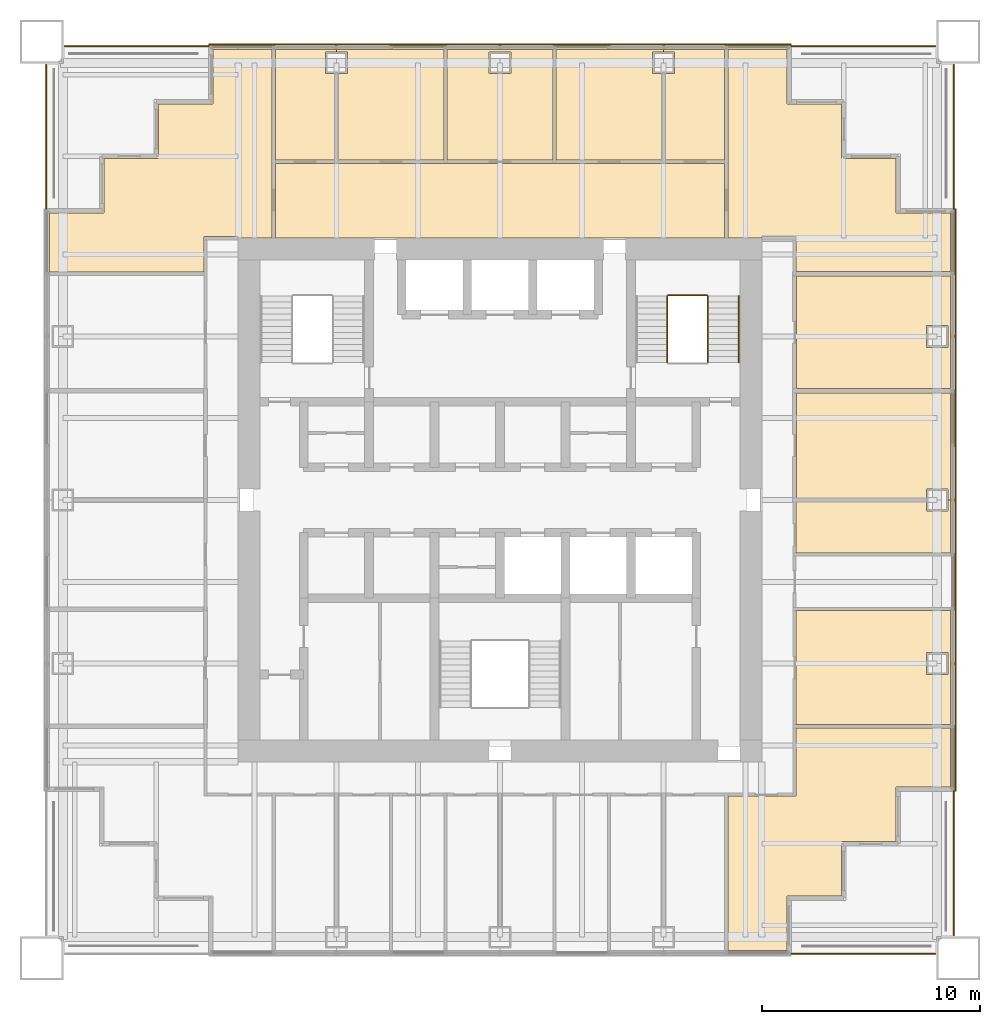
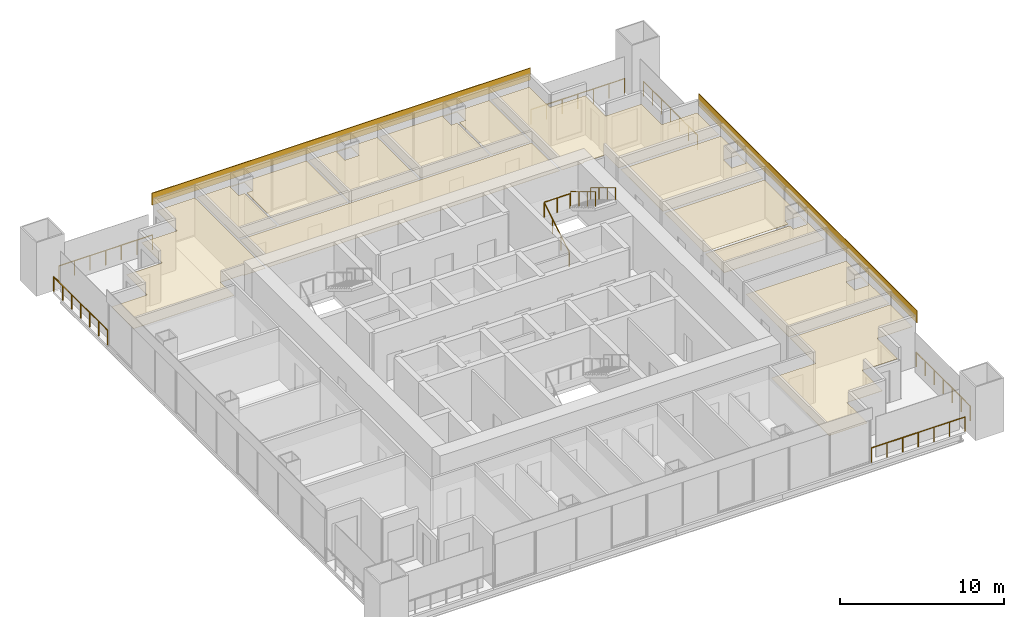
# One storey, part 15 of 15: 15 coverings, 10 railings.
"""IFC4 building model written with IfcOpenShell, lengths in metres."""

from ifc_helpers import new_model, si_unit, direction, frame, origin, origin_2d, place, context, subcontext, project, spatial, polyline, rectangle, circle, outline, extrude, material, layer, layer_set, type_object, element, save


model = new_model("IFC4")

# Units and contexts
model_context = context("Model", 3, precision=1e-05, world=origin(), true_north=direction((0.0, 1.0)))
body_context = subcontext(model_context, "Body", "Model", "MODEL_VIEW")
ifc_project = project(units=[si_unit("LENGTHUNIT", "METRE"), si_unit("AREAUNIT", "SQUARE_METRE"), si_unit("VOLUMEUNIT", "CUBIC_METRE"), si_unit("PLANEANGLEUNIT", "RADIAN"), si_unit("MASSUNIT", "GRAM", prefix="KILO")], contexts=[model_context])

# Site, building, storey
site_placement = place(None, origin())
site = spatial("IfcSite", under=ifc_project, at=site_placement, CompositionType="ELEMENT")
building_placement = place(site_placement, origin())
building = spatial("IfcBuilding", under=site, at=building_placement, Name="Tarangal Relay Tower", CompositionType="ELEMENT")
storey_placement = place(building_placement, frame((0.0, 0.0, 331.89990234375)))
storey = spatial("IfcBuildingStorey", under=building, at=storey_placement, Name="L74", CompositionType="ELEMENT", Elevation=331.89990234375)

# Coverings
ifc_material_1 = material(Name="Black anodised aluminium cladding", Category="aluminium")
ifc_layer_1 = layer(ifc_material_1, 0.050048828125)
ifc_layer_set_1 = layer_set([ifc_layer_1], Name="Black metal spandrel band")
covering_type_1 = type_object("IfcCoveringType", Name="Black metal spandrel band", PredefinedType="CLADDING", material=ifc_layer_set_1)
for number, where, z_axis, x_axis, name in (
    (1, (0.0, 20.875, 3.250244140625), (0.0, 0.0, 1.0), (1.0, 0.0, 0.0), "Spandrel band SB1 N L74"),
    (2, (20.875, 0.0, 3.250244140625), (0.0, 0.0, 1.0), (0.0, -1.0, 0.0), "Spandrel band SB1 E L74"),
):
    element("IfcCovering", number, at=place(storey_placement, frame(where, z_axis=z_axis, x_axis=x_axis)), inside=storey, type_object=covering_type_1, Name=name, PredefinedType="CLADDING", context=body_context, shape_type="SweptSolid", body=[
        extrude(rectangle(XDim=26.699951171875, YDim=0.050048828125, at=origin_2d()), origin(), (0.0, 0.0, 1.0), 0.89990234375),
    ])

# Railings
ifc_material_2 = material(Name="Steel guard, black finish", Category="steel")
railing_type_1 = type_object("IfcRailingType", Name="Stair guard 1100", PredefinedType="GUARDRAIL", material=ifc_material_2)
railing_1_placement = place(storey_placement, frame((7.669921875, 6.300048828125, 0.166748046875)))
element("IfcRailing", 3, at=railing_1_placement, inside=storey, type_object=railing_type_1, Name="Stair ST-B guard GR1 L74 flight 1", PredefinedType="GUARDRAIL", context=body_context, shape_type="SweptSolid", body=[
    extrude(circle(Radius=0.02392578125, at=origin_2d()), frame((0.0, 0.0, 1.076171875), z_axis=(0.0, 0.85685617095, 0.515555527858), x_axis=(-1.0, 0.0, 0.0)), (0.0, 0.0, 1.0), 3.555908203125),
    extrude(circle(Radius=0.02099609375, at=origin_2d()), origin(), (0.0, 0.0, 1.0), 1.052001953125),
    extrude(circle(Radius=0.02099609375, at=origin_2d()), frame((0.0, 1.015625, 0.611083984375)), (0.0, 0.0, 1.0), 1.052001953125),
    extrude(circle(Radius=0.02099609375, at=origin_2d()), frame((0.0, 2.03125, 1.22216796875)), (0.0, 0.0, 1.0), 1.052001953125),
    extrude(circle(Radius=0.02099609375, at=origin_2d()), frame((0.0, 3.046875, 1.833251953125)), (0.0, 0.0, 1.0), 1.052001953125),
])
railing_2_placement = place(storey_placement, frame((9.530029296875, 9.346923828125, 2.166748046875)))
element("IfcRailing", 4, at=railing_2_placement, inside=storey, type_object=railing_type_1, Name="Stair ST-B guard GR1 L74 flight 2", PredefinedType="GUARDRAIL", context=body_context, shape_type="SweptSolid", body=[
    extrude(circle(Radius=0.02392578125, at=origin_2d()), frame((0.0, 0.0, 1.076171875), z_axis=(0.0, -0.85685617095, 0.515555527858), x_axis=(1.0, 0.0, 0.0)), (0.0, 0.0, 1.0), 3.555908203125),
    extrude(circle(Radius=0.02099609375, at=origin_2d()), origin(), (0.0, 0.0, 1.0), 1.052001953125),
    extrude(circle(Radius=0.02099609375, at=origin_2d()), frame((0.0, -1.015625, 0.611083984375)), (0.0, 0.0, 1.0), 1.052001953125),
    extrude(circle(Radius=0.02099609375, at=origin_2d()), frame((0.0, -2.03125, 1.22216796875)), (0.0, 0.0, 1.0), 1.052001953125),
    extrude(circle(Radius=0.02099609375, at=origin_2d()), frame((0.0, -3.046875, 1.833251953125)), (0.0, 0.0, 1.0), 1.052001953125),
])
railing_3_placement = place(storey_placement, frame((7.699951171875, 9.376953125, 2.0)))
element("IfcRailing", 5, at=railing_3_placement, inside=storey, type_object=railing_type_1, Name="Stair ST-B landing guard GR1 L74", PredefinedType="GUARDRAIL", context=body_context, shape_type="SweptSolid", body=[
    extrude(circle(Radius=0.02392578125, at=origin_2d()), frame((0.0, 0.0, 1.076171875), z_axis=(1.0, 0.0, 0.0), x_axis=(0.0, 1.0, 0.0)), (0.0, 0.0, 1.0), 1.800048828125),
    extrude(circle(Radius=0.02099609375, at=origin_2d()), origin(), (0.0, 0.0, 1.0), 1.052001953125),
    extrude(circle(Radius=0.02099609375, at=origin_2d()), frame((0.89990234375, 0.0, 0.0)), (0.0, 0.0, 1.0), 1.052001953125),
    extrude(circle(Radius=0.02099609375, at=origin_2d()), frame((1.800048828125, 0.0, 0.0)), (0.0, 0.0, 1.0), 1.052001953125),
])
ifc_material_3 = material(Name="Steel handrail, black finish", Category="steel")
railing_type_2 = type_object("IfcRailingType", Name="Stair handrail 900", PredefinedType="HANDRAIL", material=ifc_material_3)
railing_4_placement = place(storey_placement, frame((10.93994140625, 9.346923828125, 2.166748046875)))
element("IfcRailing", 6, at=railing_4_placement, inside=storey, type_object=railing_type_2, Name="Stair ST-B handrail HR1 L74 flight 2", PredefinedType="HANDRAIL", context=body_context, shape_type="SweptSolid", body=[
    extrude(circle(Radius=0.02392578125, at=origin_2d()), frame((0.0, 0.0, 0.8759765625), z_axis=(0.0, -0.85685617095, 0.515555527858), x_axis=(1.0, 0.0, 0.0)), (0.0, 0.0, 1.0), 3.555908203125),
    extrude(circle(Radius=0.02099609375, at=origin_2d()), origin(), (0.0, 0.0, 1.0), 0.851806640625),
    extrude(circle(Radius=0.02099609375, at=origin_2d()), frame((0.0, -1.015625, 0.611083984375)), (0.0, 0.0, 1.0), 0.851806640625),
    extrude(circle(Radius=0.02099609375, at=origin_2d()), frame((0.0, -2.03125, 1.22216796875)), (0.0, 0.0, 1.0), 0.851806640625),
    extrude(circle(Radius=0.02099609375, at=origin_2d()), frame((0.0, -3.046875, 1.833251953125)), (0.0, 0.0, 1.0), 0.851806640625),
])

# Coverings
ifc_material_4 = material(Name="Mineral fibre ceiling tiles", Category="gypsum")
ifc_layer_2 = layer(ifc_material_4, 0.02001953125)
ifc_layer_set_2 = layer_set([ifc_layer_2], Name="Suspended ceiling")
covering_type_2 = type_object("IfcCoveringType", Name="Suspended ceiling", PredefinedType="CEILING", material=ifc_layer_set_2)
covering_1_placement = place(storey_placement, frame((0.0, 0.0, 2.900146484375)))
element("IfcCovering", 7, at=covering_1_placement, inside=storey, type_object=covering_type_2, Name="Suspended ceiling CL1 L74-02", PredefinedType="CEILING", context=body_context, shape_type="SweptSolid", body=[
    extrude(outline(polyline([(10.300048828125, 15.425048828125), (-10.300048828125, 15.425048828125), (-10.300048828125, 12.0), (10.300048828125, 12.0), (10.300048828125, 15.425048828125)])), origin(), (0.0, 0.0, 1.0), 0.02001953125),
])
covering_2_placement = place(storey_placement, frame((0.0, 0.0, 2.900146484375)))
element("IfcCovering", 8, at=covering_2_placement, inside=storey, type_object=covering_type_2, Name="Suspended ceiling CL1 L74-03", PredefinedType="CEILING", context=body_context, shape_type="SweptSolid", body=[
    extrude(outline(polyline([(-7.5, 20.64990234375), (-10.300048828125, 20.64990234375), (-10.300048828125, 15.574951171875), (-7.574951171875, 15.574951171875), (-7.574951171875, 19.5400390625), (-8.0, 19.5400390625), (-8.0, 20.5400390625), (-7.5, 20.5400390625), (-7.5, 20.64990234375)])), origin(), (0.0, 0.0, 1.0), 0.02001953125),
])
covering_3_placement = place(storey_placement, frame((0.0, 0.0, 2.900146484375)))
element("IfcCovering", 9, at=covering_3_placement, inside=storey, type_object=covering_type_2, Name="Suspended ceiling CL1 L74-04", PredefinedType="CEILING", context=body_context, shape_type="SweptSolid", body=[
    extrude(outline(polyline([(-2.574951171875, 20.64990234375), (-7.5, 20.64990234375), (-7.5, 20.5400390625), (-7.0, 20.5400390625), (-7.0, 19.5400390625), (-7.425048828125, 19.5400390625), (-7.425048828125, 15.574951171875), (-2.574951171875, 15.574951171875), (-2.574951171875, 20.64990234375)])), origin(), (0.0, 0.0, 1.0), 0.02001953125),
])
covering_4_placement = place(storey_placement, frame((0.0, 0.0, 2.900146484375)))
element("IfcCovering", 10, at=covering_4_placement, inside=storey, type_object=covering_type_2, Name="Suspended ceiling CL1 L74-05", PredefinedType="CEILING", context=body_context, shape_type="SweptSolid", body=[
    extrude(outline(polyline([(2.425048828125, 20.64990234375), (-2.425048828125, 20.64990234375), (-2.425048828125, 15.574951171875), (2.425048828125, 15.574951171875), (2.425048828125, 20.64990234375)]), holes=[polyline([(0.5, 20.5400390625), (-0.5, 20.5400390625), (-0.5, 19.5400390625), (0.5, 19.5400390625), (0.5, 20.5400390625)])]), origin(), (0.0, 0.0, 1.0), 0.02001953125),
])
covering_5_placement = place(storey_placement, frame((0.0, 0.0, 2.900146484375)))
element("IfcCovering", 11, at=covering_5_placement, inside=storey, type_object=covering_type_2, Name="Suspended ceiling CL1 L74-06", PredefinedType="CEILING", context=body_context, shape_type="SweptSolid", body=[
    extrude(outline(polyline([(7.5, 20.64990234375), (2.574951171875, 20.64990234375), (2.574951171875, 15.574951171875), (7.425048828125, 15.574951171875), (7.425048828125, 19.5400390625), (7.0, 19.5400390625), (7.0, 20.5400390625), (7.5, 20.5400390625), (7.5, 20.64990234375)])), origin(), (0.0, 0.0, 1.0), 0.02001953125),
])
covering_6_placement = place(storey_placement, frame((0.0, 0.0, 2.900146484375)))
element("IfcCovering", 12, at=covering_6_placement, inside=storey, type_object=covering_type_2, Name="Suspended ceiling CL1 L74-07", PredefinedType="CEILING", context=body_context, shape_type="SweptSolid", body=[
    extrude(outline(polyline([(10.300048828125, 20.64990234375), (7.5, 20.64990234375), (7.5, 20.5400390625), (8.0, 20.5400390625), (8.0, 19.5400390625), (7.574951171875, 19.5400390625), (7.574951171875, 15.574951171875), (10.300048828125, 15.574951171875), (10.300048828125, 20.64990234375)])), origin(), (0.0, 0.0, 1.0), 0.02001953125),
])
covering_7_placement = place(storey_placement, frame((0.0, 0.0, 2.900146484375)))
element("IfcCovering", 13, at=covering_7_placement, inside=storey, type_object=covering_type_2, Name="Suspended ceiling CL1 L74-08", PredefinedType="CEILING", context=body_context, shape_type="SweptSolid", body=[
    extrude(outline(polyline([(20.64990234375, 5.10009765625), (20.64990234375, 10.27490234375), (13.60009765625, 10.27490234375), (13.60009765625, 5.10009765625), (20.64990234375, 5.10009765625)]), holes=[polyline([(20.5400390625, 8.0), (19.5400390625, 8.0), (19.5400390625, 7.0), (20.5400390625, 7.0), (20.5400390625, 8.0)])]), origin(), (0.0, 0.0, 1.0), 0.02001953125),
])
covering_8_placement = place(storey_placement, frame((0.0, 0.0, 2.900146484375)))
element("IfcCovering", 14, at=covering_8_placement, inside=storey, type_object=covering_type_2, Name="Suspended ceiling CL1 L74-09", PredefinedType="CEILING", context=body_context, shape_type="SweptSolid", body=[
    extrude(outline(polyline([(20.64990234375, 0.0), (20.64990234375, 4.89990234375), (13.60009765625, 4.89990234375), (13.60009765625, 0.10009765625), (19.5400390625, 0.10009765625), (19.5400390625, 0.5), (20.5400390625, 0.5), (20.5400390625, 0.0), (20.64990234375, 0.0)])), origin(), (0.0, 0.0, 1.0), 0.02001953125),
])
covering_9_placement = place(storey_placement, frame((0.0, 0.0, 2.900146484375)))
element("IfcCovering", 15, at=covering_9_placement, inside=storey, type_object=covering_type_2, Name="Suspended ceiling CL1 L74-10", PredefinedType="CEILING", context=body_context, shape_type="SweptSolid", body=[
    extrude(outline(polyline([(20.64990234375, -2.425048828125), (20.64990234375, 0.0), (20.5400390625, 0.0), (20.5400390625, -0.5), (19.5400390625, -0.5), (19.5400390625, -0.10009765625), (13.574951171875, -0.10009765625), (13.574951171875, -2.425048828125), (20.64990234375, -2.425048828125)])), origin(), (0.0, 0.0, 1.0), 0.02001953125),
])
covering_10_placement = place(storey_placement, frame((0.0, 0.0, 2.900146484375)))
element("IfcCovering", 16, at=covering_10_placement, inside=storey, type_object=covering_type_2, Name="Suspended ceiling CL1 L74-12", PredefinedType="CEILING", context=body_context, shape_type="SweptSolid", body=[
    extrude(outline(polyline([(20.64990234375, -10.300048828125), (20.64990234375, -5.074951171875), (13.574951171875, -5.074951171875), (13.574951171875, -10.300048828125), (20.64990234375, -10.300048828125)]), holes=[polyline([(20.5400390625, -7.0), (19.5400390625, -7.0), (19.5400390625, -8.0), (20.5400390625, -8.0), (20.5400390625, -7.0)])]), origin(), (0.0, 0.0, 1.0), 0.02001953125),
])
covering_11_placement = place(storey_placement, frame((0.0, 0.0, 2.900146484375)))
element("IfcCovering", 17, at=covering_11_placement, inside=storey, type_object=covering_type_2, Name="Suspended ceiling CL1 L74-25", PredefinedType="CEILING", context=body_context, shape_type="SweptSolid", body=[
    extrude(outline(polyline([(10.449951171875, 20.64990234375), (10.449951171875, 12.0), (12.0, 12.0), (12.0, 12.074951171875), (13.574951171875, 12.074951171875), (13.574951171875, 10.47509765625), (20.64990234375, 10.47509765625), (20.64990234375, 13.14990234375), (18.14990234375, 13.14990234375), (18.14990234375, 15.64990234375), (15.64990234375, 15.64990234375), (15.64990234375, 18.14990234375), (13.14990234375, 18.14990234375), (13.14990234375, 20.64990234375), (10.449951171875, 20.64990234375)])), origin(), (0.0, 0.0, 1.0), 0.02001953125),
])
covering_12_placement = place(storey_placement, frame((0.0, 0.0, 2.900146484375)))
element("IfcCovering", 18, at=covering_12_placement, inside=storey, type_object=covering_type_2, Name="Suspended ceiling CL1 L74-26", PredefinedType="CEILING", context=body_context, shape_type="SweptSolid", body=[
    extrude(outline(polyline([(20.64990234375, -13.14990234375), (20.64990234375, -10.449951171875), (13.574951171875, -10.449951171875), (13.574951171875, -13.574951171875), (10.449951171875, -13.574951171875), (10.449951171875, -20.64990234375), (13.14990234375, -20.64990234375), (13.14990234375, -18.14990234375), (15.64990234375, -18.14990234375), (15.64990234375, -15.64990234375), (18.14990234375, -15.64990234375), (18.14990234375, -13.14990234375), (20.64990234375, -13.14990234375)])), origin(), (0.0, 0.0, 1.0), 0.02001953125),
])
covering_13_placement = place(storey_placement, frame((0.0, 0.0, 2.900146484375)))
element("IfcCovering", 19, at=covering_13_placement, inside=storey, type_object=covering_type_2, Name="Suspended ceiling CL1 L74-28", PredefinedType="CEILING", context=body_context, shape_type="SweptSolid", body=[
    extrude(outline(polyline([(-18.14990234375, 13.14990234375), (-20.64990234375, 13.14990234375), (-20.64990234375, 10.449951171875), (-13.574951171875, 10.449951171875), (-13.574951171875, 12.074951171875), (-12.0, 12.074951171875), (-12.0, 12.0), (-10.449951171875, 12.0), (-10.449951171875, 20.64990234375), (-13.14990234375, 20.64990234375), (-13.14990234375, 18.14990234375), (-15.64990234375, 18.14990234375), (-15.64990234375, 15.64990234375), (-18.14990234375, 15.64990234375), (-18.14990234375, 13.14990234375)])), origin(), (0.0, 0.0, 1.0), 0.02001953125),
])

# Railings
ifc_material_5 = material(Name="Black steel guard with glass infill", Category="steel")
railing_type_3 = type_object("IfcRailingType", Name="Terrace guard 1100", PredefinedType="GUARDRAIL", material=ifc_material_5)
railing_5_placement = place(storey_placement, frame((13.35009765625, 20.800048828125, 0.0)))
element("IfcRailing", 20, at=railing_5_placement, inside=storey, type_object=railing_type_3, Name="Terrace guard GR2 NE L74", PredefinedType="GUARDRAIL", context=body_context, shape_type="SweptSolid", body=[
    extrude(circle(Radius=0.02392578125, at=origin_2d()), frame((0.0, 0.0, 1.076171875), z_axis=(1.0, 0.0, 0.0), x_axis=(0.0, 1.0, 0.0)), (0.0, 0.0, 1.0), 6.599853515625),
    extrude(circle(Radius=0.02099609375, at=origin_2d()), origin(), (0.0, 0.0, 1.0), 1.052001953125),
    extrude(circle(Radius=0.02099609375, at=origin_2d()), frame((1.10009765625, 0.0, 0.0)), (0.0, 0.0, 1.0), 1.052001953125),
    extrude(circle(Radius=0.02099609375, at=origin_2d()), frame((2.199951171875, 0.0, 0.0)), (0.0, 0.0, 1.0), 1.052001953125),
    extrude(circle(Radius=0.02099609375, at=origin_2d()), frame((3.2998046875, 0.0, 0.0)), (0.0, 0.0, 1.0), 1.052001953125),
    extrude(circle(Radius=0.02099609375, at=origin_2d()), frame((4.39990234375, 0.0, 0.0)), (0.0, 0.0, 1.0), 1.052001953125),
    extrude(circle(Radius=0.02099609375, at=origin_2d()), frame((5.5, 0.0, 0.0)), (0.0, 0.0, 1.0), 1.052001953125),
    extrude(circle(Radius=0.02099609375, at=origin_2d()), frame((6.599853515625, 0.0, 0.0)), (0.0, 0.0, 1.0), 1.052001953125),
])
for number, where, name in (
    (21, (20.800048828125, 19.949951171875, 0.0), "Terrace guard GR2 NE L74"),
    (22, (20.800048828125, -13.35009765625, 0.0), "Terrace guard GR2 SE L74"),
):
    element("IfcRailing", number, at=place(storey_placement, frame(where)), inside=storey, type_object=railing_type_3, Name=name, PredefinedType="GUARDRAIL", context=body_context, shape_type="SweptSolid", body=[
        extrude(circle(Radius=0.02392578125, at=origin_2d()), frame((0.0, 0.0, 1.076171875), z_axis=(0.0, -1.0, 0.0), x_axis=(1.0, 0.0, 0.0)), (0.0, 0.0, 1.0), 6.599853515625),
        extrude(circle(Radius=0.02099609375, at=origin_2d()), origin(), (0.0, 0.0, 1.0), 1.052001953125),
        extrude(circle(Radius=0.02099609375, at=origin_2d()), frame((0.0, -1.10009765625, 0.0)), (0.0, 0.0, 1.0), 1.052001953125),
        extrude(circle(Radius=0.02099609375, at=origin_2d()), frame((0.0, -2.199951171875, 0.0)), (0.0, 0.0, 1.0), 1.052001953125),
        extrude(circle(Radius=0.02099609375, at=origin_2d()), frame((0.0, -3.2998046875, 0.0)), (0.0, 0.0, 1.0), 1.052001953125),
        extrude(circle(Radius=0.02099609375, at=origin_2d()), frame((0.0, -4.39990234375, 0.0)), (0.0, 0.0, 1.0), 1.052001953125),
        extrude(circle(Radius=0.02099609375, at=origin_2d()), frame((0.0, -5.5, 0.0)), (0.0, 0.0, 1.0), 1.052001953125),
        extrude(circle(Radius=0.02099609375, at=origin_2d()), frame((0.0, -6.599853515625, 0.0)), (0.0, 0.0, 1.0), 1.052001953125),
    ])
railing_6_placement = place(storey_placement, frame((19.949951171875, -20.800048828125, 0.0)))
element("IfcRailing", 23, at=railing_6_placement, inside=storey, type_object=railing_type_3, Name="Terrace guard GR2 SE L74", PredefinedType="GUARDRAIL", context=body_context, shape_type="SweptSolid", body=[
    extrude(circle(Radius=0.02392578125, at=origin_2d()), frame((0.0, 0.0, 1.076171875), z_axis=(-1.0, 0.0, 0.0), x_axis=(0.0, -1.0, 0.0)), (0.0, 0.0, 1.0), 6.599853515625),
    extrude(circle(Radius=0.02099609375, at=origin_2d()), origin(), (0.0, 0.0, 1.0), 1.052001953125),
    extrude(circle(Radius=0.02099609375, at=origin_2d()), frame((-1.10009765625, 0.0, 0.0)), (0.0, 0.0, 1.0), 1.052001953125),
    extrude(circle(Radius=0.02099609375, at=origin_2d()), frame((-2.199951171875, 0.0, 0.0)), (0.0, 0.0, 1.0), 1.052001953125),
    extrude(circle(Radius=0.02099609375, at=origin_2d()), frame((-3.2998046875, 0.0, 0.0)), (0.0, 0.0, 1.0), 1.052001953125),
    extrude(circle(Radius=0.02099609375, at=origin_2d()), frame((-4.39990234375, 0.0, 0.0)), (0.0, 0.0, 1.0), 1.052001953125),
    extrude(circle(Radius=0.02099609375, at=origin_2d()), frame((-5.5, 0.0, 0.0)), (0.0, 0.0, 1.0), 1.052001953125),
    extrude(circle(Radius=0.02099609375, at=origin_2d()), frame((-6.599853515625, 0.0, 0.0)), (0.0, 0.0, 1.0), 1.052001953125),
])
railing_7_placement = place(storey_placement, frame((-20.800048828125, 13.35009765625, 0.0)))
element("IfcRailing", 24, at=railing_7_placement, inside=storey, type_object=railing_type_3, Name="Terrace guard GR2 NW L74", PredefinedType="GUARDRAIL", context=body_context, shape_type="SweptSolid", body=[
    extrude(circle(Radius=0.02392578125, at=origin_2d()), frame((0.0, 0.0, 1.076171875), z_axis=(0.0, 1.0, 0.0), x_axis=(-1.0, 0.0, 0.0)), (0.0, 0.0, 1.0), 6.599853515625),
    extrude(circle(Radius=0.02099609375, at=origin_2d()), origin(), (0.0, 0.0, 1.0), 1.052001953125),
    extrude(circle(Radius=0.02099609375, at=origin_2d()), frame((0.0, 1.10009765625, 0.0)), (0.0, 0.0, 1.0), 1.052001953125),
    extrude(circle(Radius=0.02099609375, at=origin_2d()), frame((0.0, 2.199951171875, 0.0)), (0.0, 0.0, 1.0), 1.052001953125),
    extrude(circle(Radius=0.02099609375, at=origin_2d()), frame((0.0, 3.2998046875, 0.0)), (0.0, 0.0, 1.0), 1.052001953125),
    extrude(circle(Radius=0.02099609375, at=origin_2d()), frame((0.0, 4.39990234375, 0.0)), (0.0, 0.0, 1.0), 1.052001953125),
    extrude(circle(Radius=0.02099609375, at=origin_2d()), frame((0.0, 5.5, 0.0)), (0.0, 0.0, 1.0), 1.052001953125),
    extrude(circle(Radius=0.02099609375, at=origin_2d()), frame((0.0, 6.599853515625, 0.0)), (0.0, 0.0, 1.0), 1.052001953125),
])
railing_8_placement = place(storey_placement, frame((-19.949951171875, 20.800048828125, 0.0)))
element("IfcRailing", 25, at=railing_8_placement, inside=storey, type_object=railing_type_3, Name="Terrace guard GR2 NW L74", PredefinedType="GUARDRAIL", context=body_context, shape_type="SweptSolid", body=[
    extrude(circle(Radius=0.02392578125, at=origin_2d()), frame((0.0, 0.0, 1.076171875), z_axis=(1.0, 0.0, 0.0), x_axis=(0.0, 1.0, 0.0)), (0.0, 0.0, 1.0), 6.599853515625),
    extrude(circle(Radius=0.02099609375, at=origin_2d()), origin(), (0.0, 0.0, 1.0), 1.052001953125),
    extrude(circle(Radius=0.02099609375, at=origin_2d()), frame((1.10009765625, 0.0, 0.0)), (0.0, 0.0, 1.0), 1.052001953125),
    extrude(circle(Radius=0.02099609375, at=origin_2d()), frame((2.199951171875, 0.0, 0.0)), (0.0, 0.0, 1.0), 1.052001953125),
    extrude(circle(Radius=0.02099609375, at=origin_2d()), frame((3.2998046875, 0.0, 0.0)), (0.0, 0.0, 1.0), 1.052001953125),
    extrude(circle(Radius=0.02099609375, at=origin_2d()), frame((4.39990234375, 0.0, 0.0)), (0.0, 0.0, 1.0), 1.052001953125),
    extrude(circle(Radius=0.02099609375, at=origin_2d()), frame((5.5, 0.0, 0.0)), (0.0, 0.0, 1.0), 1.052001953125),
    extrude(circle(Radius=0.02099609375, at=origin_2d()), frame((6.599853515625, 0.0, 0.0)), (0.0, 0.0, 1.0), 1.052001953125),
])

save(model, "model.ifc")
